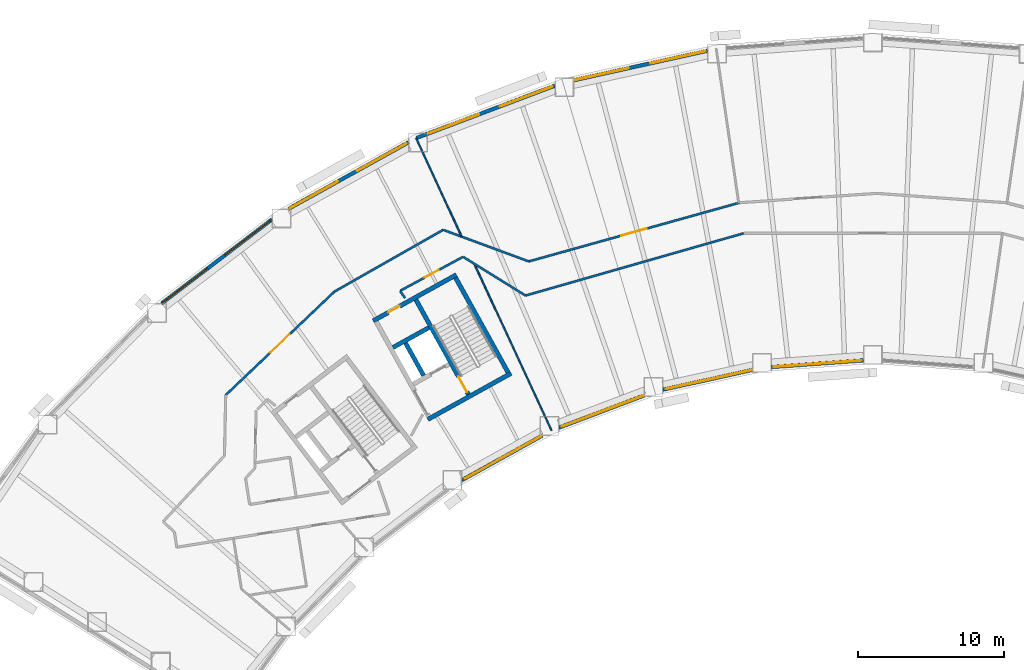
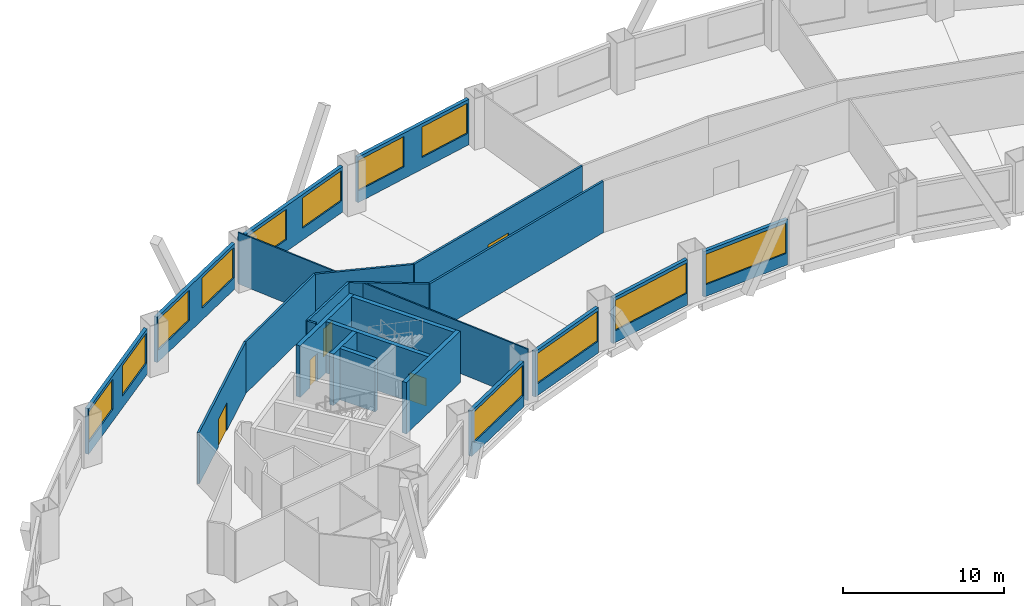
# One storey, part 4 of 11: 24 walls, 12 windows, 5 doors, 17 openings.
"""IFC4 building model written with IfcOpenShell, lengths in metres."""

from ifc_helpers import new_model, si_unit, direction, frame, frame_2d, origin, place, context, subcontext, project, spatial, rectangle, extrude, material, layer, layer_set, type_object, element, fill, save


model = new_model("IFC4")

# Units and contexts
model_context = context("Model", 3, precision=1e-05, world=origin(), true_north=direction((0.0, 1.0)))
body_context = subcontext(model_context, "Body", "Model", "MODEL_VIEW")
ifc_project = project(units=[si_unit("LENGTHUNIT", "METRE"), si_unit("AREAUNIT", "SQUARE_METRE"), si_unit("VOLUMEUNIT", "CUBIC_METRE"), si_unit("PLANEANGLEUNIT", "RADIAN"), si_unit("MASSUNIT", "GRAM", prefix="KILO")], contexts=[model_context])

# Site, building, storey
site_placement = place(None, origin())
site = spatial("IfcSite", under=ifc_project, at=site_placement, CompositionType="ELEMENT")
building_placement = place(site_placement, origin())
building = spatial("IfcBuilding", under=site, at=building_placement, Name="Tuul Gate Civic Tower", CompositionType="ELEMENT")
storey_placement = place(building_placement, frame((0.0, 0.0, 39.89990234375)))
storey = spatial("IfcBuildingStorey", under=building, at=storey_placement, Name="Level 08", CompositionType="ELEMENT", Elevation=39.89990234375)

# Walls
ifc_material_1 = material(Name="Concrete C50/60", Category="concrete")
ifc_layer_1 = layer(ifc_material_1, 0.300048828125)
ifc_layer_set_1 = layer_set([ifc_layer_1], Name="Concrete C50/60")
wall_type_1 = type_object("IfcWallType", Name="Core wall C50/60", PredefinedType="SHEAR", material=ifc_layer_set_1)
wall_1_placement = place(storey_placement, frame((-24.711669921875, -8.7158203125, 0.0), z_axis=(0.0, 0.0, 1.0), x_axis=(-0.874629909008, -0.484791215132, 0.0)))
element("IfcWall", 1, at=wall_1_placement, inside=storey, type_object=wall_type_1, Name="Core wall", PredefinedType="SHEAR", context=body_context, shape_type="SweptSolid", body=[
    extrude(rectangle(XDim=6.5, YDim=0.300048828125, at=frame_2d((3.25, 0.0))), origin(), (0.0, 0.0, 1.0), 3.900146484375),
])
wall_2_placement = place(storey_placement, frame((-30.327392578125, -5.59716796875, 0.0), z_axis=(0.0, 0.0, 1.0), x_axis=(-0.874629840737, -0.484791338301, 0.0)))
element("IfcWall", 2, at=wall_2_placement, inside=storey, type_object=wall_type_1, Name="Core wall", PredefinedType="SHEAR", context=body_context, shape_type="SweptSolid", body=[
    extrude(rectangle(XDim=2.800048828125, YDim=0.300048828125, at=frame_2d((1.39990234375, 0.0))), origin(), (0.0, 0.0, 1.0), 3.900146484375),
])

# Wall, opening, door
wall_3_placement = place(storey_placement, frame((-28.4443359375, -1.98095703125, 0.0), z_axis=(0.0, 0.0, 1.0), x_axis=(-0.874629909008, -0.484791215132, 0.0)))
wall_3 = element("IfcWall", 3, at=wall_3_placement, inside=storey, type_object=wall_type_1, Name="Core wall", PredefinedType="SHEAR", context=body_context, shape_type="SweptSolid", body=[
    extrude(rectangle(XDim=6.5, YDim=0.300048828125, at=frame_2d((3.25, 0.0))), origin(), (0.0, 0.0, 1.0), 3.900146484375),
])
opening_1_placement = place(wall_3_placement, frame((4.425048828125, 0.0, 0.0)))
opening_1 = element("IfcOpeningElement", 4, at=opening_1_placement, cuts=wall_3, Name="Opening B-D18", PredefinedType="OPENING", context=body_context, shape_type="SweptSolid", body=[
    extrude(rectangle(XDim=0.89990234375, YDim=2.10009765625, at=frame_2d((0.449951171875, 1.050048828125))), frame((0.0, 0.16015625, 0.0), z_axis=(0.0, -1.0, 0.0), x_axis=(1.0, 0.0, 0.0)), (0.0, 0.0, 1.0), 0.320068359375),
])
ifc_material_2 = material(Name="Timber door leaf", Category="wood")
door_type_1 = type_object("IfcDoorType", Name="Door D09", OperationType="NOTDEFINED", PredefinedType="DOOR", material=ifc_material_2)
door_1_placement = place(opening_1_placement, origin())
door_1 = element("IfcDoor", 5, at=door_1_placement, inside=storey, type_object=door_type_1, Name="Door B-D18", OperationType="SINGLE_SWING_LEFT", OverallHeight=2.10009765625, OverallWidth=0.89990234375, PredefinedType="DOOR", context=body_context, shape_type="SweptSolid", body=[
    extrude(rectangle(XDim=0.89990234375, YDim=2.10009765625, at=frame_2d((0.449951171875, 1.050048828125))), frame((0.0, 0.02490234375, 0.0), z_axis=(0.0, -1.0, 0.0), x_axis=(1.0, 0.0, 0.0)), (0.0, 0.0, 1.0), 0.050048828125),
])
fill(opening_1, door_1)

# Wall
wall_4_placement = place(storey_placement, frame((-24.91552734375, -8.6572265625, 0.0), z_axis=(0.0, 0.0, 1.0), x_axis=(-0.484777133038, 0.874637714304, 0.0)))
element("IfcWall", 6, at=wall_4_placement, inside=storey, type_object=wall_type_1, Name="Core wall", PredefinedType="SHEAR", context=body_context, shape_type="SweptSolid", body=[
    extrude(rectangle(XDim=7.400146484375, YDim=0.300048828125, at=frame_2d((3.7001953125, 0.0))), origin(), (0.0, 0.0, 1.0), 3.900146484375),
])

# Wall, opening, door
wall_5_placement = place(storey_placement, frame((-27.626953125, -10.16015625, 0.0), z_axis=(0.0, 0.0, 1.0), x_axis=(-0.484751894226, 0.874651702704, 0.0)))
wall_5 = element("IfcWall", 7, at=wall_5_placement, inside=storey, type_object=wall_type_1, Name="Core wall", PredefinedType="SHEAR", context=body_context, shape_type="SweptSolid", body=[
    extrude(rectangle(XDim=7.39990234375, YDim=0.300048828125, at=frame_2d((3.699951171875, 0.0))), origin(), (0.0, 0.0, 1.0), 3.900146484375),
])
opening_2_placement = place(wall_5_placement, frame((0.199951171875, 0.0, 0.0)))
opening_2 = element("IfcOpeningElement", 8, at=opening_2_placement, cuts=wall_5, Name="Opening SD-ST-2", PredefinedType="OPENING", context=body_context, shape_type="SweptSolid", body=[
    extrude(rectangle(XDim=1.199951171875, YDim=2.10009765625, at=frame_2d((0.60009765625, 1.050048828125))), frame((0.0, 0.16015625, 0.0), z_axis=(0.0, -1.0, 0.0), x_axis=(1.0, 0.0, 0.0)), (0.0, 0.0, 1.0), 0.320068359375),
])
ifc_material_3 = material(Name="Steel", Category="steel")
door_type_2 = type_object("IfcDoorType", Name="Stair door", OperationType="NOTDEFINED", PredefinedType="DOOR", material=ifc_material_3)
door_2_placement = place(opening_2_placement, origin())
door_2 = element("IfcDoor", 9, at=door_2_placement, inside=storey, type_object=door_type_2, Name="Stair door ST-2", OperationType="SINGLE_SWING_LEFT", OverallHeight=2.10009765625, OverallWidth=1.199951171875, PredefinedType="DOOR", context=body_context, shape_type="SweptSolid", body=[
    extrude(rectangle(XDim=1.199951171875, YDim=2.10009765625, at=frame_2d((0.60009765625, 1.050048828125))), frame((0.0, 0.02490234375, 0.0), z_axis=(0.0, -1.0, 0.0), x_axis=(1.0, 0.0, 0.0)), (0.0, 0.0, 1.0), 0.050048828125),
])
fill(opening_2, door_2)

# Wall
wall_6_placement = place(storey_placement, frame((-30.680419921875, -8.8798828125, 0.0), z_axis=(0.0, 0.0, 1.0), x_axis=(-0.484724115216, 0.874667097888, 0.0)))
element("IfcWall", 10, at=wall_6_placement, inside=storey, type_object=wall_type_1, Name="Core wall", PredefinedType="SHEAR", context=body_context, shape_type="SweptSolid", body=[
    extrude(rectangle(XDim=2.550048828125, YDim=0.300048828125, at=frame_2d((1.27490234375, 0.0))), origin(), (0.0, 0.0, 1.0), 3.900146484375),
])

# Wall, opening, door
ifc_material_4 = material(Name="Gypsum board partition")
ifc_layer_2 = layer(ifc_material_4, 0.14990234375)
ifc_layer_set_2 = layer_set([ifc_layer_2], Name="Gypsum board partition")
wall_type_2 = type_object("IfcWallType", Name="Corridor wall P150", PredefinedType="PARTITIONING", material=ifc_layer_set_2)
wall_7_placement = place(storey_placement, frame((-23.492431640625, -1.0703125, 0.0), z_axis=(0.0, 0.0, 1.0), x_axis=(0.963275368235, 0.268515483636, 0.0)))
wall_7 = element("IfcWall", 11, at=wall_7_placement, inside=storey, type_object=wall_type_2, Name="p028", PredefinedType="PARTITIONING", context=body_context, shape_type="SweptSolid", body=[
    extrude(rectangle(XDim=14.92138671875, YDim=0.14990234375, at=frame_2d((7.460693359375, 0.0))), origin(), (0.0, 0.0, 1.0), 3.900146484375),
])
opening_3_placement = place(wall_7_placement, frame((6.53759765625, 0.0, 0.0)))
opening_3 = element("IfcOpeningElement", 12, at=opening_3_placement, cuts=wall_7, Name="Opening B-D05", PredefinedType="OPENING", context=body_context, shape_type="SweptSolid", body=[
    extrude(rectangle(XDim=1.800048828125, YDim=2.10009765625, at=frame_2d((0.89990234375, 1.050048828125))), frame((0.0, 0.0849609375, 0.0), z_axis=(0.0, -1.0, 0.0), x_axis=(1.0, 0.0, 0.0)), (0.0, 0.0, 1.0), 0.169921875),
])
ifc_material_5 = material(Name="Timber door leaf, double", Category="wood")
door_type_3 = type_object("IfcDoorType", Name="Door D18", OperationType="DOUBLE_DOOR_SINGLE_SWING", PredefinedType="DOOR", material=ifc_material_5)
door_3_placement = place(opening_3_placement, origin())
door_3 = element("IfcDoor", 13, at=door_3_placement, inside=storey, type_object=door_type_3, Name="Door B-D05", OperationType="DOUBLE_DOOR_SINGLE_SWING", OverallHeight=2.10009765625, OverallWidth=1.800048828125, PredefinedType="DOOR", context=body_context, shape_type="SweptSolid", body=[
    extrude(rectangle(XDim=1.800048828125, YDim=2.10009765625, at=frame_2d((0.89990234375, 1.050048828125))), frame((0.0, 0.02490234375, 0.0), z_axis=(0.0, -1.0, 0.0), x_axis=(1.0, 0.0, 0.0)), (0.0, 0.0, 1.0), 0.050048828125),
])
fill(opening_3, door_3)

# Walls
wall_8_placement = place(storey_placement, frame((-29.3486328125, 1.084228515625, 0.0), z_axis=(0.0, 0.0, 1.0), x_axis=(0.938272147165, -0.345897929822, 0.0)))
element("IfcWall", 14, at=wall_8_placement, inside=storey, type_object=wall_type_2, Name="p031", PredefinedType="PARTITIONING", context=body_context, shape_type="SweptSolid", body=[
    extrude(rectangle(XDim=6.2275390625, YDim=0.14990234375, at=frame_2d((3.11376953125, 0.0))), origin(), (0.0, 0.0, 1.0), 3.900146484375),
])
wall_9_placement = place(storey_placement, frame((-36.777587890625, -3.133544921875, 0.0), z_axis=(0.0, 0.0, 1.0), x_axis=(0.869618597413, 0.493724108216, 0.0)))
element("IfcWall", 15, at=wall_9_placement, inside=storey, type_object=wall_type_2, Name="p036", PredefinedType="PARTITIONING", context=body_context, shape_type="SweptSolid", body=[
    extrude(rectangle(XDim=8.542724609375, YDim=0.14990234375, at=frame_2d((4.271484375, 0.0))), origin(), (0.0, 0.0, 1.0), 3.900146484375),
])

# Wall, opening, door
wall_10_placement = place(storey_placement, frame((-44.205810546875, -10.203857421875, 0.0), z_axis=(0.0, 0.0, 1.0), x_axis=(0.724341713939, 0.689441137043, 0.0)))
wall_10 = element("IfcWall", 16, at=wall_10_placement, inside=storey, type_object=wall_type_2, Name="p037", PredefinedType="PARTITIONING", context=body_context, shape_type="SweptSolid", body=[
    extrude(rectangle(XDim=10.255126953125, YDim=0.14990234375, at=frame_2d((5.12744140625, 0.0))), origin(), (0.0, 0.0, 1.0), 3.900146484375),
])
opening_4_placement = place(wall_10_placement, frame((4.2275390625, 0.0, 0.0)))
opening_4 = element("IfcOpeningElement", 17, at=opening_4_placement, cuts=wall_10, Name="Opening B-D06", PredefinedType="OPENING", context=body_context, shape_type="SweptSolid", body=[
    extrude(rectangle(XDim=1.800048828125, YDim=2.10009765625, at=frame_2d((0.89990234375, 1.050048828125))), frame((0.0, 0.0849609375, 0.0), z_axis=(0.0, -1.0, 0.0), x_axis=(1.0, 0.0, 0.0)), (0.0, 0.0, 1.0), 0.169921875),
])
door_4_placement = place(opening_4_placement, origin())
door_4 = element("IfcDoor", 18, at=door_4_placement, inside=storey, type_object=door_type_3, Name="Door B-D06", OperationType="DOUBLE_DOOR_SINGLE_SWING", OverallHeight=2.10009765625, OverallWidth=1.800048828125, PredefinedType="DOOR", context=body_context, shape_type="SweptSolid", body=[
    extrude(rectangle(XDim=1.800048828125, YDim=2.10009765625, at=frame_2d((0.89990234375, 1.050048828125))), frame((0.0, 0.02490234375, 0.0), z_axis=(0.0, -1.0, 0.0), x_axis=(1.0, 0.0, 0.0)), (0.0, 0.0, 1.0), 0.050048828125),
])
fill(opening_4, door_4)

# Walls
wall_11_placement = place(storey_placement, frame((-27.98046875, -0.762939453125, 0.0), z_axis=(0.0, 0.0, 1.0), x_axis=(0.849717007956, -0.527239041034, 0.0)))
element("IfcWall", 19, at=wall_11_placement, inside=storey, type_object=wall_type_2, Name="p045", PredefinedType="PARTITIONING", context=body_context, shape_type="SweptSolid", body=[
    extrude(rectangle(XDim=5.006591796875, YDim=0.14990234375, at=frame_2d((2.50341796875, 0.0))), origin(), (0.0, 0.0, 1.0), 3.900146484375),
])
wall_12_placement = place(storey_placement, frame((-23.72509765625, -3.40283203125, 0.0), z_axis=(0.0, 0.0, 1.0), x_axis=(0.961602366551, 0.274446513264, 0.0)))
element("IfcWall", 20, at=wall_12_placement, inside=storey, type_object=wall_type_2, Name="p046", PredefinedType="PARTITIONING", context=body_context, shape_type="SweptSolid", body=[
    extrude(rectangle(XDim=15.5, YDim=0.14990234375, at=frame_2d((7.75, 0.0))), origin(), (0.0, 0.0, 1.0), 3.900146484375),
])
wall_13_placement = place(storey_placement, frame((-32.288818359375, -3.107421875, 0.0), z_axis=(0.0, 0.0, 1.0), x_axis=(0.590436768377, -0.807083900563, 0.0)))
element("IfcWall", 21, at=wall_13_placement, inside=storey, type_object=wall_type_2, Name="p050", PredefinedType="PARTITIONING", context=body_context, shape_type="SweptSolid", body=[
    extrude(rectangle(XDim=0.58251953125, YDim=0.14990234375, at=frame_2d((0.291259765625, 0.0))), origin(), (0.0, 0.0, 1.0), 3.900146484375),
])

# Wall, opening, door
wall_14_placement = place(storey_placement, frame((-32.281982421875, -3.077392578125, 0.0), z_axis=(0.0, 0.0, 1.0), x_axis=(0.879607802106, 0.475699605291, 0.0)))
wall_14 = element("IfcWall", 22, at=wall_14_placement, inside=storey, type_object=wall_type_2, Name="p051", PredefinedType="PARTITIONING", context=body_context, shape_type="SweptSolid", body=[
    extrude(rectangle(XDim=4.866455078125, YDim=0.14990234375, at=frame_2d((2.43310546875, 0.0))), origin(), (0.0, 0.0, 1.0), 3.900146484375),
])
opening_5_placement = place(wall_14_placement, frame((1.88330078125, 0.0, 0.0)))
opening_5 = element("IfcOpeningElement", 23, at=opening_5_placement, cuts=wall_14, Name="Opening B-D10", PredefinedType="OPENING", context=body_context, shape_type="SweptSolid", body=[
    extrude(rectangle(XDim=1.10009765625, YDim=2.10009765625, at=frame_2d((0.550048828125, 1.050048828125))), frame((0.0, 0.0849609375, 0.0), z_axis=(0.0, -1.0, 0.0), x_axis=(1.0, 0.0, 0.0)), (0.0, 0.0, 1.0), 0.169921875),
])
ifc_material_6 = material(Name="Timber door leaf", Category="wood")
door_type_4 = type_object("IfcDoorType", Name="Door D11", OperationType="NOTDEFINED", PredefinedType="DOOR", material=ifc_material_6)
door_5_placement = place(opening_5_placement, origin())
door_5 = element("IfcDoor", 24, at=door_5_placement, inside=storey, type_object=door_type_4, Name="Door B-D10", OperationType="SINGLE_SWING_RIGHT", OverallHeight=2.10009765625, OverallWidth=1.10009765625, PredefinedType="DOOR", context=body_context, shape_type="SweptSolid", body=[
    extrude(rectangle(XDim=1.10009765625, YDim=2.10009765625, at=frame_2d((0.550048828125, 1.050048828125))), frame((0.0, 0.02490234375, 0.0), z_axis=(0.0, -1.0, 0.0), x_axis=(1.0, 0.0, 0.0)), (0.0, 0.0, 1.0), 0.050048828125),
])
fill(opening_5, door_5)

# Wall, openings, windows
ifc_material_7 = material(Name="Precast concrete C40/50", Category="concrete")
ifc_layer_3 = layer(ifc_material_7, 0.25)
ifc_layer_set_3 = layer_set([ifc_layer_3], Name="Precast concrete C40/50")
wall_type_3 = type_object("IfcWallType", Name="External wall", PredefinedType="STANDARD", material=ifc_layer_set_3)
wall_15_placement = place(storey_placement, frame((-11.299072265625, 13.317138671875, 0.0), z_axis=(0.0, 0.0, 1.0), x_axis=(-0.97654219172, -0.215326142841, 0.0)))
wall_15 = element("IfcWall", 25, at=wall_15_placement, inside=storey, type_object=wall_type_3, Name="External wall", PredefinedType="STANDARD", context=body_context, shape_type="SweptSolid", body=[
    extrude(rectangle(XDim=9.34716796875, YDim=0.25, at=frame_2d((4.673583984375, 0.0))), origin(), (0.0, 0.0, 1.0), 3.4501953125),
])
opening_6_placement = place(wall_15_placement, frame((0.134033203125, 0.0, 0.89990234375)))
opening_6 = element("IfcOpeningElement", 26, at=opening_6_placement, cuts=wall_15, Name="Opening W22", PredefinedType="OPENING", context=body_context, shape_type="SweptSolid", body=[
    extrude(rectangle(XDim=3.85009765625, YDim=2.300048828125, at=frame_2d((1.925048828125, 1.14990234375))), frame((0.0, 0.135009765625, 0.0), z_axis=(0.0, -1.0, 0.0), x_axis=(1.0, 0.0, 0.0)), (0.0, 0.0, 1.0), 0.27001953125),
])
opening_7_placement = place(wall_15_placement, frame((5.5029296875, 0.0, 0.89990234375)))
opening_7 = element("IfcOpeningElement", 27, at=opening_7_placement, cuts=wall_15, Name="Opening W100", PredefinedType="OPENING", context=body_context, shape_type="SweptSolid", body=[
    extrude(rectangle(XDim=3.800048828125, YDim=2.300048828125, at=frame_2d((1.89990234375, 1.14990234375))), frame((0.0, 0.135009765625, 0.0), z_axis=(0.0, -1.0, 0.0), x_axis=(1.0, 0.0, 0.0)), (0.0, 0.0, 1.0), 0.27001953125),
])
ifc_material_8 = material(Name="Glass", Category="glass")
window_type_1 = type_object("IfcWindowType", Name="Window W100 3800 x 2300", PartitioningType="SINGLE_PANEL", PredefinedType="WINDOW", material=ifc_material_8)
window_1_placement = place(opening_7_placement, origin())
window_1 = element("IfcWindow", 28, at=window_1_placement, inside=storey, type_object=window_type_1, Name="Window", OverallHeight=2.300048828125, OverallWidth=3.800048828125, PartitioningType="SINGLE_PANEL", PredefinedType="WINDOW", context=body_context, shape_type="SweptSolid", body=[
    extrude(rectangle(XDim=3.800048828125, YDim=2.300048828125, at=frame_2d((1.89990234375, 1.14990234375))), frame((0.0, 0.030029296875, 0.0), z_axis=(0.0, -1.0, 0.0), x_axis=(1.0, 0.0, 0.0)), (0.0, 0.0, 1.0), 0.06005859375),
])
fill(opening_7, window_1)
ifc_material_9 = material(Name="Glass", Category="glass")
window_type_2 = type_object("IfcWindowType", Name="Window W22 3850 x 2300", PartitioningType="SINGLE_PANEL", PredefinedType="WINDOW", material=ifc_material_9)
window_2_placement = place(opening_6_placement, origin())
window_2 = element("IfcWindow", 29, at=window_2_placement, inside=storey, type_object=window_type_2, Name="Window", OverallHeight=2.300048828125, OverallWidth=3.85009765625, PartitioningType="SINGLE_PANEL", PredefinedType="WINDOW", context=body_context, shape_type="SweptSolid", body=[
    extrude(rectangle(XDim=3.85009765625, YDim=2.300048828125, at=frame_2d((1.925048828125, 1.14990234375))), frame((0.0, 0.030029296875, 0.0), z_axis=(0.0, -1.0, 0.0), x_axis=(1.0, 0.0, 0.0)), (0.0, 0.0, 1.0), 0.06005859375),
])
fill(opening_6, window_2)

wall_16_placement = place(storey_placement, frame((-21.72705078125, 10.929931640625, 0.0), z_axis=(0.0, 0.0, 1.0), x_axis=(-0.935382009338, -0.353638935365, 0.0)))
wall_16 = element("IfcWall", 30, at=wall_16_placement, inside=storey, type_object=wall_type_3, Name="External wall", PredefinedType="STANDARD", context=body_context, shape_type="SweptSolid", body=[
    extrude(rectangle(XDim=10.077880859375, YDim=0.25, at=frame_2d((5.0390625, 0.0))), origin(), (0.0, 0.0, 1.0), 3.4501953125),
])
opening_8_placement = place(wall_16_placement, frame((0.1552734375, 0.0, 0.89990234375)))
opening_8 = element("IfcOpeningElement", 31, at=opening_8_placement, cuts=wall_16, Name="Opening W22", PredefinedType="OPENING", context=body_context, shape_type="SweptSolid", body=[
    extrude(rectangle(XDim=3.85009765625, YDim=2.300048828125, at=frame_2d((1.925048828125, 1.14990234375))), frame((0.0, 0.135009765625, 0.0), z_axis=(0.0, -1.0, 0.0), x_axis=(1.0, 0.0, 0.0)), (0.0, 0.0, 1.0), 0.27001953125),
])
opening_9_placement = place(wall_16_placement, frame((5.535888671875, 0.0, 0.89990234375)))
opening_9 = element("IfcOpeningElement", 32, at=opening_9_placement, cuts=wall_16, Name="Opening W21", PredefinedType="OPENING", context=body_context, shape_type="SweptSolid", body=[
    extrude(rectangle(XDim=3.699951171875, YDim=2.300048828125, at=frame_2d((1.85009765625, 1.14990234375))), frame((0.0, 0.135009765625, 0.0), z_axis=(0.0, -1.0, 0.0), x_axis=(1.0, 0.0, 0.0)), (0.0, 0.0, 1.0), 0.27001953125),
])
ifc_material_10 = material(Name="Glass", Category="glass")
window_type_3 = type_object("IfcWindowType", Name="Window W21 3700 x 2300", PartitioningType="SINGLE_PANEL", PredefinedType="WINDOW", material=ifc_material_10)
window_3_placement = place(opening_9_placement, origin())
window_3 = element("IfcWindow", 33, at=window_3_placement, inside=storey, type_object=window_type_3, Name="Window", OverallHeight=2.300048828125, OverallWidth=3.699951171875, PartitioningType="SINGLE_PANEL", PredefinedType="WINDOW", context=body_context, shape_type="SweptSolid", body=[
    extrude(rectangle(XDim=3.699951171875, YDim=2.300048828125, at=frame_2d((1.85009765625, 1.14990234375))), frame((0.0, 0.030029296875, 0.0), z_axis=(0.0, -1.0, 0.0), x_axis=(1.0, 0.0, 0.0)), (0.0, 0.0, 1.0), 0.06005859375),
])
fill(opening_9, window_3)
window_4_placement = place(opening_8_placement, origin())
window_4 = element("IfcWindow", 34, at=window_4_placement, inside=storey, type_object=window_type_2, Name="Window", OverallHeight=2.300048828125, OverallWidth=3.85009765625, PartitioningType="SINGLE_PANEL", PredefinedType="WINDOW", context=body_context, shape_type="SweptSolid", body=[
    extrude(rectangle(XDim=3.85009765625, YDim=2.300048828125, at=frame_2d((1.925048828125, 1.14990234375))), frame((0.0, 0.030029296875, 0.0), z_axis=(0.0, -1.0, 0.0), x_axis=(1.0, 0.0, 0.0)), (0.0, 0.0, 1.0), 0.06005859375),
])
fill(opening_8, window_4)

wall_17_placement = place(storey_placement, frame((-31.714111328125, 7.0634765625, 0.0), z_axis=(0.0, 0.0, 1.0), x_axis=(-0.87462564428, -0.484798909206, 0.0)))
wall_17 = element("IfcWall", 35, at=wall_17_placement, inside=storey, type_object=wall_type_3, Name="External wall", PredefinedType="STANDARD", context=body_context, shape_type="SweptSolid", body=[
    extrude(rectangle(XDim=9.35986328125, YDim=0.25, at=frame_2d((4.679931640625, 0.0))), origin(), (0.0, 0.0, 1.0), 3.4501953125),
])
opening_10_placement = place(wall_17_placement, frame((0.164306640625, 0.0, 0.89990234375)))
opening_10 = element("IfcOpeningElement", 36, at=opening_10_placement, cuts=wall_17, Name="Opening W22", PredefinedType="OPENING", context=body_context, shape_type="SweptSolid", body=[
    extrude(rectangle(XDim=3.85009765625, YDim=2.300048828125, at=frame_2d((1.925048828125, 1.14990234375))), frame((0.0, 0.135009765625, 0.0), z_axis=(0.0, -1.0, 0.0), x_axis=(1.0, 0.0, 0.0)), (0.0, 0.0, 1.0), 0.27001953125),
])
opening_11_placement = place(wall_17_placement, frame((5.51708984375, 0.0, 0.89990234375)))
opening_11 = element("IfcOpeningElement", 37, at=opening_11_placement, cuts=wall_17, Name="Opening W99", PredefinedType="OPENING", context=body_context, shape_type="SweptSolid", body=[
    extrude(rectangle(XDim=3.75, YDim=2.300048828125, at=frame_2d((1.875, 1.14990234375))), frame((0.0, 0.135009765625, 0.0), z_axis=(0.0, -1.0, 0.0), x_axis=(1.0, 0.0, 0.0)), (0.0, 0.0, 1.0), 0.27001953125),
])
window_5_placement = place(opening_10_placement, origin())
window_5 = element("IfcWindow", 38, at=window_5_placement, inside=storey, type_object=window_type_2, Name="Window", OverallHeight=2.300048828125, OverallWidth=3.85009765625, PartitioningType="SINGLE_PANEL", PredefinedType="WINDOW", context=body_context, shape_type="SweptSolid", body=[
    extrude(rectangle(XDim=3.85009765625, YDim=2.300048828125, at=frame_2d((1.925048828125, 1.14990234375))), frame((0.0, 0.030029296875, 0.0), z_axis=(0.0, -1.0, 0.0), x_axis=(1.0, 0.0, 0.0)), (0.0, 0.0, 1.0), 0.06005859375),
])
fill(opening_10, window_5)
ifc_material_11 = material(Name="Glass", Category="glass")
window_type_4 = type_object("IfcWindowType", Name="Window W99 3750 x 2300", PartitioningType="SINGLE_PANEL", PredefinedType="WINDOW", material=ifc_material_11)
window_6_placement = place(opening_11_placement, origin())
window_6 = element("IfcWindow", 39, at=window_6_placement, inside=storey, type_object=window_type_4, Name="Window", OverallHeight=2.300048828125, OverallWidth=3.75, PartitioningType="SINGLE_PANEL", PredefinedType="WINDOW", context=body_context, shape_type="SweptSolid", body=[
    extrude(rectangle(XDim=3.75, YDim=2.300048828125, at=frame_2d((1.875, 1.14990234375))), frame((0.0, 0.030029296875, 0.0), z_axis=(0.0, -1.0, 0.0), x_axis=(1.0, 0.0, 0.0)), (0.0, 0.0, 1.0), 0.06005859375),
])
fill(opening_11, window_6)

wall_18_placement = place(storey_placement, frame((-41.052001953125, 1.7900390625, 0.0), z_axis=(0.0, 0.0, 1.0), x_axis=(-0.795612935537, -0.605805296119, 0.0)))
wall_18 = element("IfcWall", 40, at=wall_18_placement, inside=storey, type_object=wall_type_3, Name="External wall", PredefinedType="STANDARD", context=body_context, shape_type="SweptSolid", body=[
    extrude(rectangle(XDim=9.461669921875, YDim=0.25, at=frame_2d((4.73095703125, 0.0))), origin(), (0.0, 0.0, 1.0), 3.4501953125),
])
opening_12_placement = place(wall_18_placement, frame((0.158935546875, 0.0, 0.89990234375)))
opening_12 = element("IfcOpeningElement", 41, at=opening_12_placement, cuts=wall_18, Name="Opening W22", PredefinedType="OPENING", context=body_context, shape_type="SweptSolid", body=[
    extrude(rectangle(XDim=3.85009765625, YDim=2.300048828125, at=frame_2d((1.925048828125, 1.14990234375))), frame((0.0, 0.135009765625, 0.0), z_axis=(0.0, -1.0, 0.0), x_axis=(1.0, 0.0, 0.0)), (0.0, 0.0, 1.0), 0.27001953125),
])
opening_13_placement = place(wall_18_placement, frame((5.5302734375, 0.0, 0.89990234375)))
opening_13 = element("IfcOpeningElement", 42, at=opening_13_placement, cuts=wall_18, Name="Opening W22", PredefinedType="OPENING", context=body_context, shape_type="SweptSolid", body=[
    extrude(rectangle(XDim=3.85009765625, YDim=2.300048828125, at=frame_2d((1.925048828125, 1.14990234375))), frame((0.0, 0.135009765625, 0.0), z_axis=(0.0, -1.0, 0.0), x_axis=(1.0, 0.0, 0.0)), (0.0, 0.0, 1.0), 0.27001953125),
])
window_7_placement = place(opening_12_placement, origin())
window_7 = element("IfcWindow", 43, at=window_7_placement, inside=storey, type_object=window_type_2, Name="Window", OverallHeight=2.300048828125, OverallWidth=3.85009765625, PartitioningType="SINGLE_PANEL", PredefinedType="WINDOW", context=body_context, shape_type="SweptSolid", body=[
    extrude(rectangle(XDim=3.85009765625, YDim=2.300048828125, at=frame_2d((1.925048828125, 1.14990234375))), frame((0.0, 0.030029296875, 0.0), z_axis=(0.0, -1.0, 0.0), x_axis=(1.0, 0.0, 0.0)), (0.0, 0.0, 1.0), 0.06005859375),
])
fill(opening_12, window_7)
window_8_placement = place(opening_13_placement, origin())
window_8 = element("IfcWindow", 44, at=window_8_placement, inside=storey, type_object=window_type_2, Name="Window", OverallHeight=2.300048828125, OverallWidth=3.85009765625, PartitioningType="SINGLE_PANEL", PredefinedType="WINDOW", context=body_context, shape_type="SweptSolid", body=[
    extrude(rectangle(XDim=3.85009765625, YDim=2.300048828125, at=frame_2d((1.925048828125, 1.14990234375))), frame((0.0, 0.030029296875, 0.0), z_axis=(0.0, -1.0, 0.0), x_axis=(1.0, 0.0, 0.0)), (0.0, 0.0, 1.0), 0.06005859375),
])
fill(opening_13, window_8)

# Wall, opening, window
wall_19_placement = place(storey_placement, frame((-28.076904296875, -16.0166015625, 0.0), z_axis=(0.0, 0.0, 1.0), x_axis=(0.874630436192, 0.484790264018, 0.0)))
wall_19 = element("IfcWall", 45, at=wall_19_placement, inside=storey, type_object=wall_type_3, Name="External wall", PredefinedType="STANDARD", context=body_context, shape_type="SweptSolid", body=[
    extrude(rectangle(XDim=6.27392578125, YDim=0.25, at=frame_2d((3.136962890625, 0.0))), origin(), (0.0, 0.0, 1.0), 3.4501953125),
])
opening_14_placement = place(wall_19_placement, frame((0.237060546875, 0.0, 0.89990234375)))
opening_14 = element("IfcOpeningElement", 46, at=opening_14_placement, cuts=wall_19, Name="Opening W101", PredefinedType="OPENING", context=body_context, shape_type="SweptSolid", body=[
    extrude(rectangle(XDim=5.949951171875, YDim=2.300048828125, at=frame_2d((2.97509765625, 1.14990234375))), frame((0.0, 0.135009765625, 0.0), z_axis=(0.0, -1.0, 0.0), x_axis=(1.0, 0.0, 0.0)), (0.0, 0.0, 1.0), 0.27001953125),
])
ifc_material_12 = material(Name="Glass", Category="glass")
window_type_5 = type_object("IfcWindowType", Name="Window W101 5950 x 2300", PartitioningType="SINGLE_PANEL", PredefinedType="WINDOW", material=ifc_material_12)
window_9_placement = place(opening_14_placement, origin())
window_9 = element("IfcWindow", 47, at=window_9_placement, inside=storey, type_object=window_type_5, Name="Window", OverallHeight=2.300048828125, OverallWidth=5.949951171875, PartitioningType="SINGLE_PANEL", PredefinedType="WINDOW", context=body_context, shape_type="SweptSolid", body=[
    extrude(rectangle(XDim=5.949951171875, YDim=2.300048828125, at=frame_2d((2.97509765625, 1.14990234375))), frame((0.0, 0.030029296875, 0.0), z_axis=(0.0, -1.0, 0.0), x_axis=(1.0, 0.0, 0.0)), (0.0, 0.0, 1.0), 0.06005859375),
])
fill(opening_14, window_9)

wall_20_placement = place(storey_placement, frame((-21.43701171875, -12.426513671875, 0.0), z_axis=(0.0, 0.0, 1.0), x_axis=(0.935359836581, 0.353697577193, 0.0)))
wall_20 = element("IfcWall", 48, at=wall_20_placement, inside=storey, type_object=wall_type_3, Name="External wall", PredefinedType="STANDARD", context=body_context, shape_type="SweptSolid", body=[
    extrude(rectangle(XDim=6.201904296875, YDim=0.25, at=frame_2d((3.10107421875, 0.0))), origin(), (0.0, 0.0, 1.0), 3.4501953125),
])
opening_15_placement = place(wall_20_placement, frame((0.2060546875, 0.0, 0.89990234375)))
opening_15 = element("IfcOpeningElement", 49, at=opening_15_placement, cuts=wall_20, Name="Opening W101", PredefinedType="OPENING", context=body_context, shape_type="SweptSolid", body=[
    extrude(rectangle(XDim=5.949951171875, YDim=2.300048828125, at=frame_2d((2.97509765625, 1.14990234375))), frame((0.0, 0.135009765625, 0.0), z_axis=(0.0, -1.0, 0.0), x_axis=(1.0, 0.0, 0.0)), (0.0, 0.0, 1.0), 0.27001953125),
])
window_10_placement = place(opening_15_placement, origin())
window_10 = element("IfcWindow", 50, at=window_10_placement, inside=storey, type_object=window_type_5, Name="Window", OverallHeight=2.300048828125, OverallWidth=5.949951171875, PartitioningType="SINGLE_PANEL", PredefinedType="WINDOW", context=body_context, shape_type="SweptSolid", body=[
    extrude(rectangle(XDim=5.949951171875, YDim=2.300048828125, at=frame_2d((2.97509765625, 1.14990234375))), frame((0.0, 0.030029296875, 0.0), z_axis=(0.0, -1.0, 0.0), x_axis=(1.0, 0.0, 0.0)), (0.0, 0.0, 1.0), 0.06005859375),
])
fill(opening_15, window_10)

wall_21_placement = place(storey_placement, frame((-14.3359375, -9.8291015625, 0.0), z_axis=(0.0, 0.0, 1.0), x_axis=(0.97656633669, 0.215216611915, 0.0)))
wall_21 = element("IfcWall", 51, at=wall_21_placement, inside=storey, type_object=wall_type_3, Name="External wall", PredefinedType="STANDARD", context=body_context, shape_type="SweptSolid", body=[
    extrude(rectangle(XDim=6.2607421875, YDim=0.25, at=frame_2d((3.13037109375, 0.0))), origin(), (0.0, 0.0, 1.0), 3.4501953125),
])
opening_16_placement = place(wall_21_placement, frame((0.2021484375, 0.0, 0.89990234375)))
opening_16 = element("IfcOpeningElement", 52, at=opening_16_placement, cuts=wall_21, Name="Opening W26", PredefinedType="OPENING", context=body_context, shape_type="SweptSolid", body=[
    extrude(rectangle(XDim=6.0, YDim=2.300048828125, at=frame_2d((3.0, 1.14990234375))), frame((0.0, 0.135009765625, 0.0), z_axis=(0.0, -1.0, 0.0), x_axis=(1.0, 0.0, 0.0)), (0.0, 0.0, 1.0), 0.27001953125),
])
ifc_material_13 = material(Name="Glass", Category="glass")
window_type_6 = type_object("IfcWindowType", Name="Window W26 6000 x 2300", PartitioningType="SINGLE_PANEL", PredefinedType="WINDOW", material=ifc_material_13)
window_11_placement = place(opening_16_placement, origin())
window_11 = element("IfcWindow", 53, at=window_11_placement, inside=storey, type_object=window_type_6, Name="Window", OverallHeight=2.300048828125, OverallWidth=6.0, PartitioningType="SINGLE_PANEL", PredefinedType="WINDOW", context=body_context, shape_type="SweptSolid", body=[
    extrude(rectangle(XDim=6.0, YDim=2.300048828125, at=frame_2d((3.0, 1.14990234375))), frame((0.0, 0.030029296875, 0.0), z_axis=(0.0, -1.0, 0.0), x_axis=(1.0, 0.0, 0.0)), (0.0, 0.0, 1.0), 0.06005859375),
])
fill(opening_16, window_11)

wall_22_placement = place(storey_placement, frame((-6.922119140625, -8.284423828125, 0.0), z_axis=(0.0, 0.0, 1.0), x_axis=(0.997395047269, 0.072132653374, 0.0)))
wall_22 = element("IfcWall", 54, at=wall_22_placement, inside=storey, type_object=wall_type_3, Name="External wall", PredefinedType="STANDARD", context=body_context, shape_type="SweptSolid", body=[
    extrude(rectangle(XDim=6.28857421875, YDim=0.25, at=frame_2d((3.144287109375, 0.0))), origin(), (0.0, 0.0, 1.0), 3.4501953125),
])
opening_17_placement = place(wall_22_placement, frame((0.167724609375, 0.0, 0.89990234375)))
opening_17 = element("IfcOpeningElement", 55, at=opening_17_placement, cuts=wall_22, Name="Opening W26", PredefinedType="OPENING", context=body_context, shape_type="SweptSolid", body=[
    extrude(rectangle(XDim=6.0, YDim=2.300048828125, at=frame_2d((3.0, 1.14990234375))), frame((0.0, 0.135009765625, 0.0), z_axis=(0.0, -1.0, 0.0), x_axis=(1.0, 0.0, 0.0)), (0.0, 0.0, 1.0), 0.27001953125),
])
window_12_placement = place(opening_17_placement, origin())
window_12 = element("IfcWindow", 56, at=window_12_placement, inside=storey, type_object=window_type_6, Name="Window", OverallHeight=2.300048828125, OverallWidth=6.0, PartitioningType="SINGLE_PANEL", PredefinedType="WINDOW", context=body_context, shape_type="SweptSolid", body=[
    extrude(rectangle(XDim=6.0, YDim=2.300048828125, at=frame_2d((3.0, 1.14990234375))), frame((0.0, 0.030029296875, 0.0), z_axis=(0.0, -1.0, 0.0), x_axis=(1.0, 0.0, 0.0)), (0.0, 0.0, 1.0), 0.06005859375),
])
fill(opening_17, window_12)

# Walls
ifc_material_14 = material(Name="Gypsum board partition")
ifc_layer_4 = layer(ifc_material_14, 0.10009765625)
ifc_layer_set_4 = layer_set([ifc_layer_4], Name="Gypsum board partition")
wall_type_4 = type_object("IfcWallType", Name="Partition P100", PredefinedType="PARTITIONING", material=ifc_layer_set_4)
wall_23_placement = place(storey_placement, frame((-31.202880859375, 7.3525390625, 0.0), z_axis=(0.0, 0.0, 1.0), x_axis=(0.420359305998, -0.907357732023, 0.0)))
element("IfcWall", 57, at=wall_23_placement, inside=storey, type_object=wall_type_4, Name="p029", PredefinedType="PARTITIONING", context=body_context, shape_type="SweptSolid", body=[
    extrude(rectangle(XDim=7.422607421875, YDim=0.10009765625, at=frame_2d((3.71142578125, 0.0))), origin(), (0.0, 0.0, 1.0), 3.900146484375),
])
wall_24_placement = place(storey_placement, frame((-27.226318359375, -1.23095703125, 0.0), z_axis=(0.0, 0.0, 1.0), x_axis=(0.420356002092, -0.907359262644, 0.0)))
element("IfcWall", 58, at=wall_24_placement, inside=storey, type_object=wall_type_4, Name="p030", PredefinedType="PARTITIONING", context=body_context, shape_type="SweptSolid", body=[
    extrude(rectangle(XDim=12.557373046875, YDim=0.10009765625, at=frame_2d((6.27880859375, 0.0))), origin(), (0.0, 0.0, 1.0), 3.900146484375),
])

save(model, "model.ifc")
